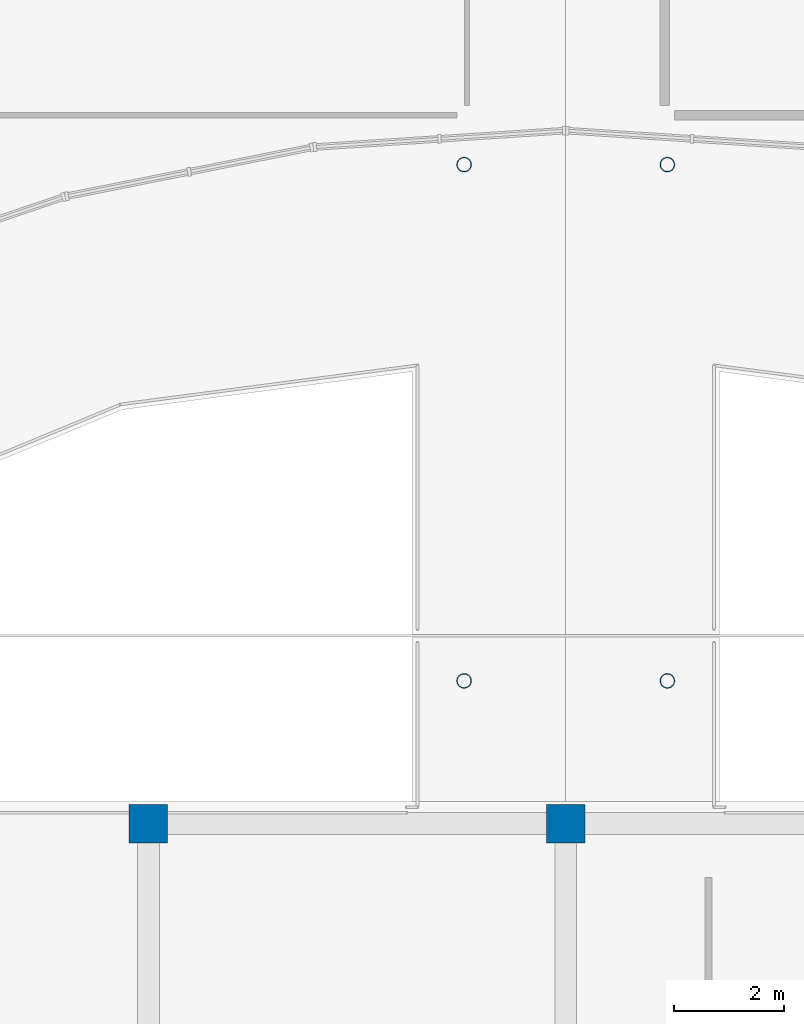
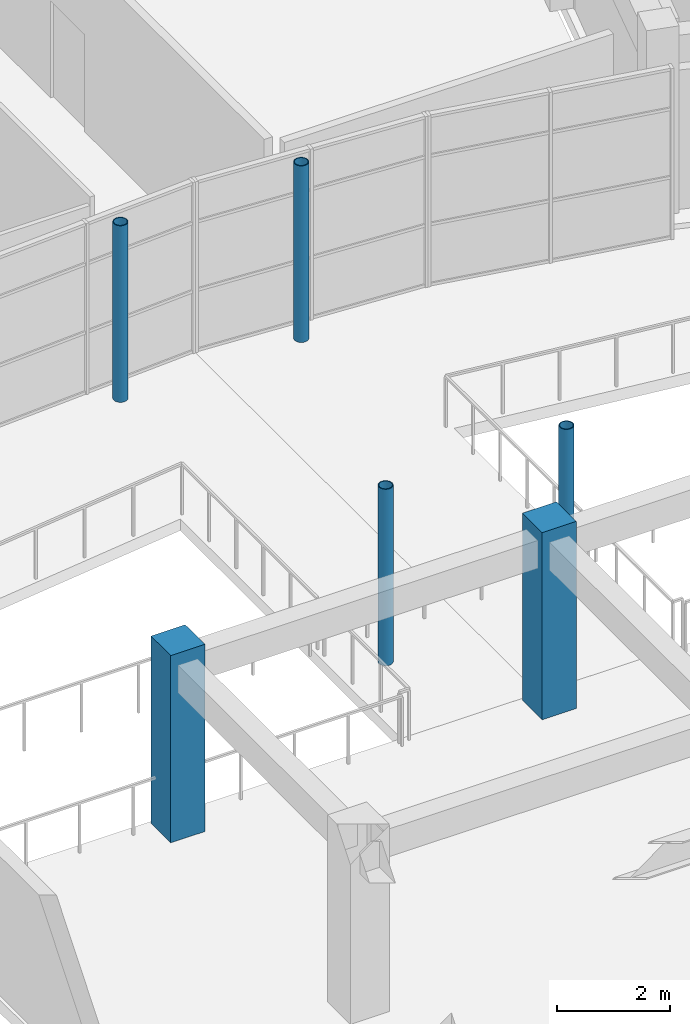
# One storey, part 6 of 83: 6 columns.
"""IFC4 building model written with IfcOpenShell, lengths in metres."""

import ifcopenshell
import ifcopenshell.guid

model = None  # the IFC model being written
_history = None  # IfcOwnerHistory: only IFC2X3 demands one
_inside = {}  # id of a spatial element -> (the spatial element, [elements in it])
_under = {}  # id of a project, library or spatial element -> (it, [spatial elements below it])
_declared = {}  # id of a project -> (the project, [libraries it declares])
_typed = {}  # id of a type object -> (the type object, [elements of that type])
_made_of = {}  # id of a material, layer set ... -> (it, [elements and type objects made of it])


def new_model(schema):
    """Start an empty IFC model of exactly this schema.

    Asked for "IFC4X3", IfcOpenShell would pick the latest addendum, in which some entities
    have other attributes; the version numbers below select the first issue.
    IFC2X3 requires an IfcOwnerHistory on every rooted entity: one is made here for all.
    """
    global model, _history
    if schema == "IFC4X3":
        model = ifcopenshell.file(schema_version=(4, 3, 0, 0))
    else:
        model = ifcopenshell.file(schema=schema)
    _inside.clear()
    _under.clear()
    _declared.clear()
    _typed.clear()
    _made_of.clear()
    _history = None
    if model.schema == "IFC2X3":
        org = make("IfcOrganization", Name="unknown")
        user = make(
            "IfcPersonAndOrganization",
            ThePerson=make("IfcPerson", FamilyName="unknown"),
            TheOrganization=org,
        )
        app = make(
            "IfcApplication",
            ApplicationDeveloper=org,
            Version="unknown",
            ApplicationFullName="unknown",
            ApplicationIdentifier="unknown",
        )
        _history = make(
            "IfcOwnerHistory",
            OwningUser=user,
            OwningApplication=app,
            ChangeAction="ADDED",
            CreationDate=0,
        )
    return model


def make(cls, **values):
    """One entity of the class cls with the attributes given. An attribute that is None is left unset."""
    return model.create_entity(
        cls, **{name: value for name, value in values.items() if value is not None}
    )


def rooted(cls, **values):
    """An entity with a GlobalId (a new one), such as an element, a storey or a relation."""
    return make(cls, GlobalId=ifcopenshell.guid.new(), OwnerHistory=_history, **values)


def si_unit(unit_type, name, prefix=None):
    """IfcSIUnit, for example si_unit("LENGTHUNIT", "METRE", prefix="MILLI")."""
    return make("IfcSIUnit", UnitType=unit_type, Prefix=prefix, Name=name)


def assignment(units):
    """IfcUnitAssignment: the units of a project."""
    return None if units is None else make("IfcUnitAssignment", Units=units)


def point(xyz):
    """IfcCartesianPoint."""
    return None if xyz is None else make("IfcCartesianPoint", Coordinates=xyz)


def direction(xyz):
    """IfcDirection."""
    return None if xyz is None else make("IfcDirection", DirectionRatios=xyz)


def frame(location, z_axis=None, x_axis=None):
    """IfcAxis2Placement3D, a coordinate frame: its origin and axes. An axis left out is left unset."""
    return make(
        "IfcAxis2Placement3D",
        Location=point(location),
        Axis=direction(z_axis),
        RefDirection=direction(x_axis),
    )


def frame_2d(location, x_axis=None):
    """IfcAxis2Placement2D, a coordinate frame in the plane: its origin and x axis."""
    return make(
        "IfcAxis2Placement2D", Location=point(location), RefDirection=direction(x_axis)
    )


def origin():
    """The frame at (0, 0, 0) with its axes left unset."""
    return frame((0.0, 0.0, 0.0))


def origin_2d():
    """The frame at (0, 0) in the plane with its x axis left unset."""
    return frame_2d((0.0, 0.0))


def place(relative_to, where):
    """IfcLocalPlacement: puts the frame where relative to a parent placement (None: the world)."""
    return make(
        "IfcLocalPlacement", PlacementRelTo=relative_to, RelativePlacement=where
    )


def context(
    kind, dimensions, precision=None, world=None, true_north=None, identifier=None
):
    """IfcGeometricRepresentationContext, for example the 3D "Model" context."""
    return make(
        "IfcGeometricRepresentationContext",
        ContextIdentifier=identifier,
        ContextType=kind,
        CoordinateSpaceDimension=dimensions,
        Precision=precision,
        WorldCoordinateSystem=world,
        TrueNorth=true_north,
    )


def subcontext(parent, identifier, kind, view, scale=None):
    """IfcGeometricRepresentationSubContext, for example "Body" below "Model"."""
    return make(
        "IfcGeometricRepresentationSubContext",
        ContextIdentifier=identifier,
        ContextType=kind,
        ParentContext=parent,
        TargetScale=scale,
        TargetView=view,
    )


def project(units=None, contexts=None):
    """IfcProject with its units and contexts."""
    return rooted(
        "IfcProject",
        Name="project",
        RepresentationContexts=contexts,
        UnitsInContext=assignment(units),
    )


def spatial(cls, under=None, at=None, **own):
    """A site, building, storey or space (cls), placed at a placement, below another one or the project."""
    s = rooted(cls, ObjectPlacement=at, **own)
    if under is not None:
        _under.setdefault(under.id(), (under, []))[1].append(s)
    return s


def profile(cls, at=None, kind="AREA", **sizes):
    """A parametric profile (cls). Its sizes go by their IFC names, for example OverallWidth=200.0."""
    return make(cls, ProfileType=kind, Position=at, **sizes)


def rectangle(**sizes):
    """IfcRectangleProfileDef."""
    return profile("IfcRectangleProfileDef", **sizes)


def hollow_circle(**sizes):
    """IfcCircleHollowProfileDef."""
    return profile("IfcCircleHollowProfileDef", **sizes)


def extrude(swept, where, along, depth):
    """IfcExtrudedAreaSolid: the profile swept, set in the frame where, extruded along a direction by depth."""
    return make(
        "IfcExtrudedAreaSolid",
        SweptArea=swept,
        Position=where,
        ExtrudedDirection=direction(along),
        Depth=depth,
    )


def shape(context_of_items, identifier, shape_type, items):
    """IfcShapeRepresentation: the items that make up one representation, for example the "Body"."""
    return make(
        "IfcShapeRepresentation",
        ContextOfItems=context_of_items,
        RepresentationIdentifier=identifier,
        RepresentationType=shape_type,
        Items=items,
    )


def material(Name=None, Category=None):
    """IfcMaterial."""
    return make("IfcMaterial", Name=Name, Category=Category)


def material_profile(
    of_material, cross_section, Name=None, Category=None, Priority=None
):
    """IfcMaterialProfile: a cross section and its material."""
    return make(
        "IfcMaterialProfile",
        Name=Name,
        Material=of_material,
        Profile=cross_section,
        Priority=Priority,
        Category=Category,
    )


def profile_set(profiles, Name=None, composite=None):
    """IfcMaterialProfileSet."""
    return make(
        "IfcMaterialProfileSet",
        Name=Name,
        MaterialProfiles=profiles,
        CompositeProfile=composite,
    )


def made_of(thing, what):
    """Note that an element or type object is made of a material, layer set ...; save() writes the relation."""
    if what is not None:
        _made_of.setdefault(what.id(), (what, []))[1].append(thing)
    return thing


def type_object(cls, material=None, **own):
    """A type object (cls), such as IfcWallType, which elements share."""
    return made_of(rooted(cls, **own), material)


def element(
    cls,
    number,
    at=None,
    inside=None,
    cuts=None,
    type_object=None,
    material=None,
    context=None,
    identifier="Body",
    shape_type=None,
    held_by="IfcProductDefinitionShape",
    body=None,
    shapes=None,
    **own,
):
    """One element of the class cls, such as IfcWall. Its Tag is "e" and its number.

    at: its placement. inside: the storey or other place that contains it. cuts: it is an
    opening in that element (IfcRelVoidsElement). A single representation is given by context,
    identifier, shape_type and body (its items); several are given by shapes. held_by: the class
    of the entity that holds the representations. save() writes the other relations.
    """
    e = rooted(cls, Tag="e%d" % number, ObjectPlacement=at, **own)
    if body is not None:
        shapes = [shape(context, identifier, shape_type, body)]
    if shapes is not None:
        e.Representation = make(held_by, Representations=shapes)
    if inside is not None:
        _inside.setdefault(inside.id(), (inside, []))[1].append(e)
    if cuts is not None:
        rooted(
            "IfcRelVoidsElement", RelatingBuildingElement=cuts, RelatedOpeningElement=e
        )
    if type_object is not None:
        _typed.setdefault(type_object.id(), (type_object, []))[1].append(e)
    return made_of(e, material)


def aggregate(whole, parts):
    """IfcRelAggregates: a whole, such as a stair, and the parts it consists of."""
    return rooted("IfcRelAggregates", RelatingObject=whole, RelatedObjects=parts)


def save(model, path):
    """Write the relations noted so far, then the file.

    IfcRelAggregates (storeys below a building ...), IfcRelContainedInSpatialStructure (elements
    in a storey), IfcRelDefinesByType, IfcRelAssociatesMaterial and IfcRelDeclares: one each for
    every whole, place, type object, material and project.
    """
    for whole, parts in _under.values():
        aggregate(whole, parts)
    for where, things in _inside.values():
        rooted(
            "IfcRelContainedInSpatialStructure",
            RelatedElements=things,
            RelatingStructure=where,
        )
    for kind, things in _typed.values():
        rooted("IfcRelDefinesByType", RelatedObjects=things, RelatingType=kind)
    for what, things in _made_of.values():
        rooted("IfcRelAssociatesMaterial", RelatedObjects=things, RelatingMaterial=what)
    for by, libraries in _declared.values():
        rooted("IfcRelDeclares", RelatingContext=by, RelatedDefinitions=libraries)
    model.write(path)


model = new_model("IFC4")

# Units and contexts
model_context = context("Model", 3, precision=1e-05, world=origin(), true_north=direction((0.0, 1.0)))
body_context = subcontext(model_context, "Body", "Model", "MODEL_VIEW")
ifc_project = project(units=[si_unit("LENGTHUNIT", "METRE"), si_unit("AREAUNIT", "SQUARE_METRE"), si_unit("VOLUMEUNIT", "CUBIC_METRE"), si_unit("PLANEANGLEUNIT", "RADIAN"), si_unit("MASSUNIT", "GRAM", prefix="KILO")], contexts=[model_context])

# Site, building, storey
site_placement = place(None, origin())
site = spatial("IfcSite", under=ifc_project, at=site_placement, CompositionType="ELEMENT")
building_placement = place(site_placement, origin())
building = spatial("IfcBuilding", under=site, at=building_placement, Name="Saryqyr Civic Hall", CompositionType="ELEMENT")
storey_placement = place(building_placement, frame((0.0, 0.0, 9.14990234375)))
storey = spatial("IfcBuildingStorey", under=building, at=storey_placement, Name="L02", CompositionType="ELEMENT", Elevation=9.14990234375)

# Columns
ifc_material_1 = material(Name="Steel S355", Category="steel")
ifc_material_profile_1 = material_profile(ifc_material_1, hollow_circle(Radius=0.136474609375, WallThickness=0.01611328125, at=origin_2d()), Name="CHS 273x16")
ifc_profile_set_1 = profile_set([ifc_material_profile_1], Name="Steel S355")
column_type_1 = type_object("IfcColumnType", Name="STR-COL-CHS273-S355", PredefinedType="COLUMN", material=ifc_profile_set_1)
for number, where, z_axis, x_axis, name in (
    (1, (55.14990234375, 109.199951171875, 0.0), (0.0, 0.0, 1.0), (1.0, 0.0, 0.0), "Column BRCOL-BR-CN-1-L02"),
    (2, (58.85009765625, 109.199951171875, 0.0), (0.0, 0.0, 1.0), (1.0, 0.0, 0.0), "Column BRCOL-BR-CN-2-L02"),
    (3, (58.85009765625, 118.60009765625, 0.0), (0.0, 0.0, 1.0), (1.0, 0.0, 0.0), "Column BRCOL-BR-CN-3-L02"),
    (4, (55.14990234375, 118.60009765625, 0.0), (0.0, 0.0, 1.0), (1.0, 0.0, 0.0), "Column BRCOL-BR-CN-4-L02"),
):
    element("IfcColumn", number, at=place(storey_placement, frame(where, z_axis=z_axis, x_axis=x_axis)), inside=storey, type_object=column_type_1, Name=name, PredefinedType="COLUMN", context=body_context, shape_type="SweptSolid", body=[
        extrude(hollow_circle(Radius=0.136474609375, WallThickness=0.01611328125, at=origin_2d()), origin(), (0.0, 0.0, 1.0), 3.820068359375),
    ])
ifc_material_2 = material(Name="Concrete C40/50", Category="concrete")
ifc_material_profile_2 = material_profile(ifc_material_2, rectangle(XDim=0.699951171875, YDim=0.699951171875, at=origin_2d()), Name="RC 700x700")
ifc_profile_set_2 = profile_set([ifc_material_profile_2], Name="Concrete C40/50")
column_type_2 = type_object("IfcColumnType", Name="STR-COL-RC700-C40", PredefinedType="COLUMN", material=ifc_profile_set_2)
for number, where, z_axis, x_axis, name in (
    (5, (49.39990234375, 106.60009765625, 0.0), (0.0, 0.0, 1.0), (1.0, 0.0, 0.0), "Column V1-COL-S1P10-L02"),
    (6, (57.0, 106.60009765625, 0.0), (0.0, 0.0, 1.0), (1.0, 0.0, 0.0), "Column V1-COL-S1P11-L02"),
):
    element("IfcColumn", number, at=place(storey_placement, frame(where, z_axis=z_axis, x_axis=x_axis)), inside=storey, type_object=column_type_2, Name=name, PredefinedType="COLUMN", context=body_context, shape_type="SweptSolid", body=[
        extrude(rectangle(XDim=0.699951171875, YDim=0.699951171875, at=origin_2d()), origin(), (0.0, 0.0, 1.0), 4.050048828125),
    ])

save(model, "model.ifc")
